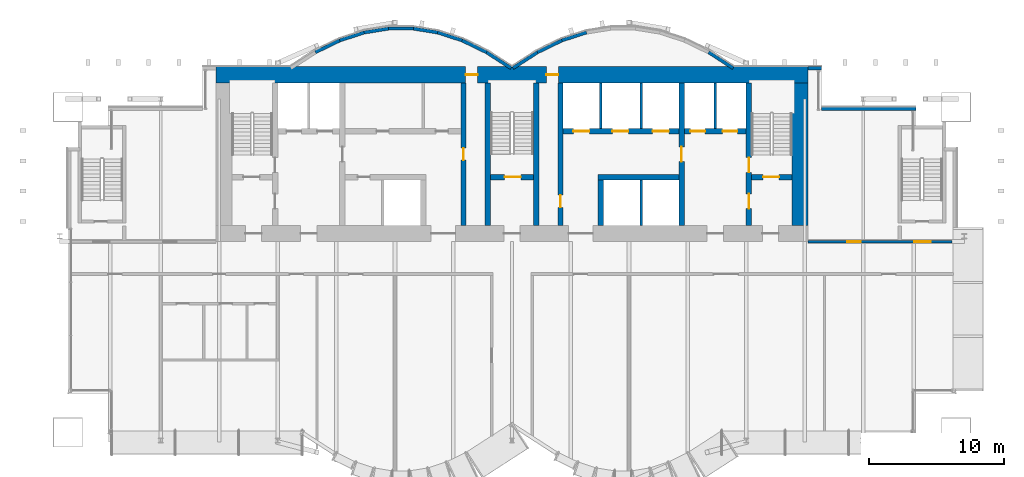
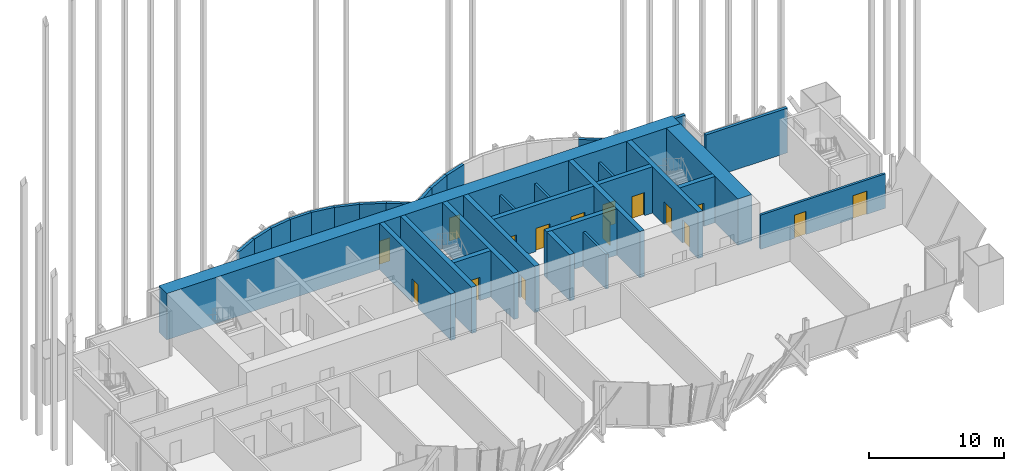
# One storey, part 25 of 28: 32 walls, 16 doors, 16 openings.
"""IFC4 building model written with IfcOpenShell, lengths in metres."""

from ifc_helpers import new_model, si_unit, direction, frame, frame_2d, origin, place, context, subcontext, project, spatial, rectangle, extrude, material, layer, layer_set, layer_usage, type_object, element, fill, save


model = new_model("IFC4")

# Units and contexts
model_context = context("Model", 3, precision=1e-05, world=origin(), true_north=direction((0.0, 1.0)))
body_context = subcontext(model_context, "Body", "Model", "MODEL_VIEW")
ifc_project = project(units=[si_unit("LENGTHUNIT", "METRE"), si_unit("AREAUNIT", "SQUARE_METRE"), si_unit("VOLUMEUNIT", "CUBIC_METRE"), si_unit("PLANEANGLEUNIT", "RADIAN"), si_unit("MASSUNIT", "GRAM", prefix="KILO")], contexts=[model_context])

# Site, building, storey
site_placement = place(None, origin())
site = spatial("IfcSite", under=ifc_project, at=site_placement, CompositionType="ELEMENT")
building_placement = place(site_placement, origin())
building = spatial("IfcBuilding", under=site, at=building_placement, Name="Bicima Exchange Tower", CompositionType="ELEMENT")
storey_placement = place(building_placement, frame((0.0, 0.0, 241.39990234375)))
storey = spatial("IfcBuildingStorey", under=building, at=storey_placement, Name="L54", CompositionType="ELEMENT", Elevation=241.39990234375)

# Walls
ifc_material_1 = material(Name="Gypsum board partition")
ifc_layer_1 = layer(ifc_material_1, 0.199951171875)
ifc_layer_set_1 = layer_set([ifc_layer_1], Name="Gypsum board partition")
wall_type_1 = type_object("IfcWallType", Name="Fire-rated gypsum partition 200 EI120", PredefinedType="PARTITIONING", material=ifc_layer_set_1)
for number, where, z_axis, x_axis, name in (
    (1, (6.60009765625, -4.60009765625, 0.0), (0.0, 0.0, 1.0), (0.0, 1.0, 0.0), "partition wall 19"),
    (2, (9.60009765625, -11.800048828125, 0.0), (0.0, 0.0, 1.0), (0.0, 1.0, 0.0), "partition wall 20"),
    (3, (9.60009765625, -4.60009765625, 0.0), (0.0, 0.0, 1.0), (0.0, 1.0, 0.0), "partition wall 21"),
    (4, (15.10009765625, -4.60009765625, 0.0), (0.0, 0.0, 1.0), (0.0, 1.0, 0.0), "partition wall 23"),
):
    element("IfcWall", number, at=place(storey_placement, frame(where, z_axis=z_axis, x_axis=x_axis)), inside=storey, type_object=wall_type_1, Name=name, PredefinedType="PARTITIONING", context=body_context, shape_type="SweptSolid", body=[
        extrude(rectangle(XDim=3.400146484375, YDim=0.199951171875, at=frame_2d((1.7001953125, 0.0))), origin(), (0.0, 0.0, 1.0), 3.1181640625),
    ])

# Wall, openings, doors
ifc_layer_2 = layer(ifc_material_1, 0.199951171875)
ifc_layer_set_2 = layer_set([ifc_layer_2], Name="Gypsum board partition")
wall_type_2 = type_object("IfcWallType", Name="Fire-rated gypsum partition 200 EI60", PredefinedType="PARTITIONING", material=ifc_layer_set_2)
wall_1_placement = place(storey_placement, frame((22.0, -13.0, 0.0), z_axis=(0.0, 0.0, 1.0), x_axis=(1.0, 0.0, 0.0)))
wall_1 = element("IfcWall", 5, at=wall_1_placement, inside=storey, type_object=wall_type_2, Name="partition wall 6", PredefinedType="PARTITIONING", context=body_context, shape_type="SweptSolid", body=[
    extrude(rectangle(XDim=10.699951171875, YDim=0.199951171875, at=frame_2d((5.35009765625, 0.0))), origin(), (0.0, 0.0, 1.0), 3.1181640625),
])
opening_1_placement = place(wall_1_placement, frame((7.89990234375, 0.0, 0.0)))
opening_1 = element("IfcOpeningElement", 6, at=opening_1_placement, cuts=wall_1, Name="Opening L54-003", PredefinedType="OPENING", context=body_context, shape_type="SweptSolid", body=[
    extrude(rectangle(XDim=1.199951171875, YDim=2.10009765625, at=frame_2d((0.60009765625, 1.050048828125))), frame((0.0, 0.11181640625, 0.0), z_axis=(0.0, -1.0, 0.0), x_axis=(1.0, 0.0, 0.0)), (0.0, 0.0, 1.0), 0.223876953125),
])
opening_2_placement = place(wall_1_placement, frame((2.89990234375, 0.0, 0.0)))
opening_2 = element("IfcOpeningElement", 7, at=opening_2_placement, cuts=wall_1, Name="Opening L54-006", PredefinedType="OPENING", context=body_context, shape_type="SweptSolid", body=[
    extrude(rectangle(XDim=1.0, YDim=2.10009765625, at=frame_2d((0.5, 1.050048828125))), frame((0.0, 0.11181640625, 0.0), z_axis=(0.0, -1.0, 0.0), x_axis=(1.0, 0.0, 0.0)), (0.0, 0.0, 1.0), 0.223876953125),
])
ifc_material_2 = material(Name="Steel fire door leaf", Category="steel")
door_type_1 = type_object("IfcDoorType", Name="Door 1000 swing FD30S", OperationType="SINGLE_SWING_LEFT", PredefinedType="DOOR", material=ifc_material_2)
door_1_placement = place(opening_2_placement, origin())
door_1 = element("IfcDoor", 8, at=door_1_placement, inside=storey, type_object=door_type_1, Name="Door", OperationType="SINGLE_SWING_RIGHT", OverallHeight=2.10009765625, OverallWidth=1.0, PredefinedType="DOOR", context=body_context, shape_type="SweptSolid", body=[
    extrude(rectangle(XDim=1.0, YDim=2.10009765625, at=frame_2d((0.5, 1.050048828125))), frame((0.0, 0.02490234375, 0.0), z_axis=(0.0, -1.0, 0.0), x_axis=(1.0, 0.0, 0.0)), (0.0, 0.0, 1.0), 0.050048828125),
])
fill(opening_2, door_1)
door_type_2 = type_object("IfcDoorType", Name="Door 1200 swing FD30S", OperationType="SINGLE_SWING_LEFT", PredefinedType="DOOR", material=ifc_material_2)
door_2_placement = place(opening_1_placement, origin())
door_2 = element("IfcDoor", 9, at=door_2_placement, inside=storey, type_object=door_type_2, Name="Door", OperationType="SINGLE_SWING_RIGHT", OverallHeight=2.10009765625, OverallWidth=1.199951171875, PredefinedType="DOOR", context=body_context, shape_type="SweptSolid", body=[
    extrude(rectangle(XDim=1.199951171875, YDim=2.10009765625, at=frame_2d((0.60009765625, 1.050048828125))), frame((0.0, 0.02490234375, 0.0), z_axis=(0.0, -1.0, 0.0), x_axis=(1.0, 0.0, 0.0)), (0.0, 0.0, 1.0), 0.050048828125),
])
fill(opening_1, door_2)

ifc_material_3 = material(Name="Concrete C40/50", Category="concrete")
ifc_layer_3 = layer(ifc_material_3, 1.199951171875)
ifc_layer_set_3 = layer_set([ifc_layer_3], Name="Concrete C40/50")
wall_type_3 = type_object("IfcWallType", Name="RC core wall 1200 C40/50", PredefinedType="SHEAR", material=ifc_layer_set_3)
wall_2_placement = place(storey_placement, frame((-22.0, -0.60009765625, 0.0), z_axis=(0.0, 0.0, 1.0), x_axis=(1.0, 0.0, 0.0)))
wall_2 = element("IfcWall", 10, at=wall_2_placement, inside=storey, type_object=wall_type_3, Name="Core wall north", PredefinedType="SHEAR", context=body_context, shape_type="SweptSolid", body=[
    extrude(rectangle(XDim=44.0, YDim=1.199951171875, at=frame_2d((22.0, 0.0))), origin(), (0.0, 0.0, 1.0), 4.2001953125),
])
opening_3_placement = place(wall_2_placement, frame((18.550048828125, 0.0, 0.0)))
opening_3 = element("IfcOpeningElement", 11, at=opening_3_placement, cuts=wall_2, Name="Opening L54-C15", PredefinedType="OPENING", context=body_context, shape_type="SweptSolid", body=[
    extrude(rectangle(XDim=0.89990234375, YDim=2.10009765625, at=frame_2d((0.449951171875, 1.050048828125))), frame((0.0, 0.61181640625, 0.0), z_axis=(0.0, -1.0, 0.0), x_axis=(1.0, 0.0, 0.0)), (0.0, 0.0, 1.0), 1.223876953125),
])
opening_4_placement = place(wall_2_placement, frame((24.550048828125, 0.0, 0.0)))
opening_4 = element("IfcOpeningElement", 12, at=opening_4_placement, cuts=wall_2, Name="Opening L54-C16", PredefinedType="OPENING", context=body_context, shape_type="SweptSolid", body=[
    extrude(rectangle(XDim=0.89990234375, YDim=2.10009765625, at=frame_2d((0.449951171875, 1.050048828125))), frame((0.0, 0.61181640625, 0.0), z_axis=(0.0, -1.0, 0.0), x_axis=(1.0, 0.0, 0.0)), (0.0, 0.0, 1.0), 1.223876953125),
])
door_type_3 = type_object("IfcDoorType", Name="Door 900 swing FD30S", OperationType="SINGLE_SWING_LEFT", PredefinedType="DOOR", material=ifc_material_2)
door_3_placement = place(opening_3_placement, origin())
door_3 = element("IfcDoor", 13, at=door_3_placement, inside=storey, type_object=door_type_3, Name="Core door", OperationType="SINGLE_SWING_LEFT", OverallHeight=2.10009765625, OverallWidth=0.89990234375, PredefinedType="DOOR", context=body_context, shape_type="SweptSolid", body=[
    extrude(rectangle(XDim=0.89990234375, YDim=2.10009765625, at=frame_2d((0.449951171875, 1.050048828125))), frame((0.0, 0.02490234375, 0.0), z_axis=(0.0, -1.0, 0.0), x_axis=(1.0, 0.0, 0.0)), (0.0, 0.0, 1.0), 0.050048828125),
])
fill(opening_3, door_3)
door_4_placement = place(opening_4_placement, origin())
door_4 = element("IfcDoor", 14, at=door_4_placement, inside=storey, type_object=door_type_3, Name="Core door", OperationType="SINGLE_SWING_LEFT", OverallHeight=2.10009765625, OverallWidth=0.89990234375, PredefinedType="DOOR", context=body_context, shape_type="SweptSolid", body=[
    extrude(rectangle(XDim=0.89990234375, YDim=2.10009765625, at=frame_2d((0.449951171875, 1.050048828125))), frame((0.0, 0.02490234375, 0.0), z_axis=(0.0, -1.0, 0.0), x_axis=(1.0, 0.0, 0.0)), (0.0, 0.0, 1.0), 0.050048828125),
])
fill(opening_4, door_4)

# Walls
wall_3_placement = place(storey_placement, frame((21.39990234375, -11.800048828125, 0.0), z_axis=(0.0, 0.0, 1.0), x_axis=(0.0, 1.0, 0.0)))
element("IfcWall", 15, at=wall_3_placement, inside=storey, type_object=wall_type_3, Name="Core wall east", PredefinedType="SHEAR", context=body_context, shape_type="SweptSolid", body=[
    extrude(rectangle(XDim=10.60009765625, YDim=1.199951171875, at=frame_2d((5.300048828125, 0.0))), origin(), (0.0, 0.0, 1.0), 4.2001953125),
])
ifc_layer_4 = layer(ifc_material_3, 0.39990234375)
ifc_layer_set_4 = layer_set([ifc_layer_4], Name="Concrete C40/50")
wall_type_4 = type_object("IfcWallType", Name="RC core wall 400 C40/50", PredefinedType="SHEAR", material=ifc_layer_set_4)
wall_4_placement = place(storey_placement, frame((6.39990234375, -8.199951171875, 0.0), z_axis=(0.0, 0.0, 1.0), x_axis=(1.0, 0.0, 0.0)))
element("IfcWall", 16, at=wall_4_placement, inside=storey, type_object=wall_type_4, Name="shear wall 4", PredefinedType="SHEAR", context=body_context, shape_type="SweptSolid", body=[
    extrude(rectangle(XDim=6.0, YDim=0.39990234375, at=frame_2d((3.0, 0.0))), origin(), (0.0, 0.0, 1.0), 4.2001953125),
])

# Wall, openings, doors
wall_5_placement = place(storey_placement, frame((3.800048828125, -4.800048828125, 0.0), z_axis=(0.0, 0.0, 1.0), x_axis=(1.0, 0.0, 0.0)))
wall_5 = element("IfcWall", 17, at=wall_5_placement, inside=storey, type_object=wall_type_4, Name="shear wall 7", PredefinedType="SHEAR", context=body_context, shape_type="SweptSolid", body=[
    extrude(rectangle(XDim=13.599853515625, YDim=0.39990234375, at=frame_2d((6.7998046875, 0.0))), origin(), (0.0, 0.0, 1.0), 4.2001953125),
])
opening_5_placement = place(wall_5_placement, frame((0.75, 0.0, 0.0)))
opening_5 = element("IfcOpeningElement", 18, at=opening_5_placement, cuts=wall_5, Name="Opening LD-HB1-L54", PredefinedType="OPENING", context=body_context, shape_type="SweptSolid", body=[
    extrude(rectangle(XDim=1.199951171875, YDim=2.10009765625, at=frame_2d((0.60009765625, 1.050048828125))), frame((0.0, 0.2119140625, 0.0), z_axis=(0.0, -1.0, 0.0), x_axis=(1.0, 0.0, 0.0)), (0.0, 0.0, 1.0), 0.423828125),
])
opening_6_placement = place(wall_5_placement, frame((3.64990234375, 0.0, 0.0)))
opening_6 = element("IfcOpeningElement", 19, at=opening_6_placement, cuts=wall_5, Name="Opening LD-HB2-L54", PredefinedType="OPENING", context=body_context, shape_type="SweptSolid", body=[
    extrude(rectangle(XDim=1.199951171875, YDim=2.10009765625, at=frame_2d((0.60009765625, 1.050048828125))), frame((0.0, 0.2119140625, 0.0), z_axis=(0.0, -1.0, 0.0), x_axis=(1.0, 0.0, 0.0)), (0.0, 0.0, 1.0), 0.423828125),
])
opening_7_placement = place(wall_5_placement, frame((6.64990234375, 0.0, 0.0)))
opening_7 = element("IfcOpeningElement", 20, at=opening_7_placement, cuts=wall_5, Name="Opening LD-HB3-L54", PredefinedType="OPENING", context=body_context, shape_type="SweptSolid", body=[
    extrude(rectangle(XDim=1.199951171875, YDim=2.10009765625, at=frame_2d((0.60009765625, 1.050048828125))), frame((0.0, 0.2119140625, 0.0), z_axis=(0.0, -1.0, 0.0), x_axis=(1.0, 0.0, 0.0)), (0.0, 0.0, 1.0), 0.423828125),
])
opening_8_placement = place(wall_5_placement, frame((9.449951171875, 0.0, 0.0)))
opening_8 = element("IfcOpeningElement", 21, at=opening_8_placement, cuts=wall_5, Name="Opening LD-FF2-L54", PredefinedType="OPENING", context=body_context, shape_type="SweptSolid", body=[
    extrude(rectangle(XDim=1.10009765625, YDim=2.10009765625, at=frame_2d((0.550048828125, 1.050048828125))), frame((0.0, 0.2119140625, 0.0), z_axis=(0.0, -1.0, 0.0), x_axis=(1.0, 0.0, 0.0)), (0.0, 0.0, 1.0), 0.423828125),
])
opening_9_placement = place(wall_5_placement, frame((11.85009765625, 0.0, 0.0)))
opening_9 = element("IfcOpeningElement", 22, at=opening_9_placement, cuts=wall_5, Name="Opening LD-SV1-L54", PredefinedType="OPENING", context=body_context, shape_type="SweptSolid", body=[
    extrude(rectangle(XDim=1.10009765625, YDim=2.10009765625, at=frame_2d((0.550048828125, 1.050048828125))), frame((0.0, 0.2119140625, 0.0), z_axis=(0.0, -1.0, 0.0), x_axis=(1.0, 0.0, 0.0)), (0.0, 0.0, 1.0), 0.423828125),
])
ifc_material_4 = material(Name="Stainless steel", Category="steel")
door_type_4 = type_object("IfcDoorType", Name="Lift landing door 1100 sliding", OperationType="DOUBLE_DOOR_SLIDING", PredefinedType="DOOR", material=ifc_material_4)
door_5_placement = place(opening_8_placement, origin())
door_5 = element("IfcDoor", 23, at=door_5_placement, inside=storey, type_object=door_type_4, Name="Lift landing door FF2", OperationType="DOUBLE_DOOR_SLIDING", OverallHeight=2.10009765625, OverallWidth=1.10009765625, PredefinedType="DOOR", context=body_context, shape_type="SweptSolid", body=[
    extrude(rectangle(XDim=1.10009765625, YDim=2.10009765625, at=frame_2d((0.550048828125, 1.050048828125))), frame((0.0, 0.02490234375, 0.0), z_axis=(0.0, -1.0, 0.0), x_axis=(1.0, 0.0, 0.0)), (0.0, 0.0, 1.0), 0.050048828125),
])
fill(opening_8, door_5)
door_6_placement = place(opening_9_placement, origin())
door_6 = element("IfcDoor", 24, at=door_6_placement, inside=storey, type_object=door_type_4, Name="Lift landing door SV1", OperationType="DOUBLE_DOOR_SLIDING", OverallHeight=2.10009765625, OverallWidth=1.10009765625, PredefinedType="DOOR", context=body_context, shape_type="SweptSolid", body=[
    extrude(rectangle(XDim=1.10009765625, YDim=2.10009765625, at=frame_2d((0.550048828125, 1.050048828125))), frame((0.0, 0.02490234375, 0.0), z_axis=(0.0, -1.0, 0.0), x_axis=(1.0, 0.0, 0.0)), (0.0, 0.0, 1.0), 0.050048828125),
])
fill(opening_9, door_6)
door_type_5 = type_object("IfcDoorType", Name="Lift landing door 1200 sliding", OperationType="DOUBLE_DOOR_SLIDING", PredefinedType="DOOR", material=ifc_material_4)
door_7_placement = place(opening_5_placement, origin())
door_7 = element("IfcDoor", 25, at=door_7_placement, inside=storey, type_object=door_type_5, Name="Lift landing door HB1", OperationType="DOUBLE_DOOR_SLIDING", OverallHeight=2.10009765625, OverallWidth=1.199951171875, PredefinedType="DOOR", context=body_context, shape_type="SweptSolid", body=[
    extrude(rectangle(XDim=1.199951171875, YDim=2.10009765625, at=frame_2d((0.60009765625, 1.050048828125))), frame((0.0, 0.02490234375, 0.0), z_axis=(0.0, -1.0, 0.0), x_axis=(1.0, 0.0, 0.0)), (0.0, 0.0, 1.0), 0.050048828125),
])
fill(opening_5, door_7)
door_8_placement = place(opening_6_placement, origin())
door_8 = element("IfcDoor", 26, at=door_8_placement, inside=storey, type_object=door_type_5, Name="Lift landing door HB2", OperationType="DOUBLE_DOOR_SLIDING", OverallHeight=2.10009765625, OverallWidth=1.199951171875, PredefinedType="DOOR", context=body_context, shape_type="SweptSolid", body=[
    extrude(rectangle(XDim=1.199951171875, YDim=2.10009765625, at=frame_2d((0.60009765625, 1.050048828125))), frame((0.0, 0.02490234375, 0.0), z_axis=(0.0, -1.0, 0.0), x_axis=(1.0, 0.0, 0.0)), (0.0, 0.0, 1.0), 0.050048828125),
])
fill(opening_6, door_8)
door_9_placement = place(opening_7_placement, origin())
door_9 = element("IfcDoor", 27, at=door_9_placement, inside=storey, type_object=door_type_5, Name="Lift landing door HB3", OperationType="DOUBLE_DOOR_SLIDING", OverallHeight=2.10009765625, OverallWidth=1.199951171875, PredefinedType="DOOR", context=body_context, shape_type="SweptSolid", body=[
    extrude(rectangle(XDim=1.199951171875, YDim=2.10009765625, at=frame_2d((0.60009765625, 1.050048828125))), frame((0.0, 0.02490234375, 0.0), z_axis=(0.0, -1.0, 0.0), x_axis=(1.0, 0.0, 0.0)), (0.0, 0.0, 1.0), 0.050048828125),
])
fill(opening_7, door_9)

# Wall, opening, door
wall_6_placement = place(storey_placement, frame((-3.60009765625, -11.800048828125, 0.0), z_axis=(0.0, 0.0, 1.0), x_axis=(0.0, 1.0, 0.0)))
wall_6 = element("IfcWall", 28, at=wall_6_placement, inside=storey, type_object=wall_type_4, Name="shear wall 14", PredefinedType="SHEAR", context=body_context, shape_type="SweptSolid", body=[
    extrude(rectangle(XDim=10.60009765625, YDim=0.39990234375, at=frame_2d((5.300048828125, 0.0))), origin(), (0.0, 0.0, 1.0), 4.2001953125),
])
opening_10_placement = place(wall_6_placement, frame((4.85009765625, 0.0, 0.0)))
opening_10 = element("IfcOpeningElement", 29, at=opening_10_placement, cuts=wall_6, Name="Opening L54-C10", PredefinedType="OPENING", context=body_context, shape_type="SweptSolid", body=[
    extrude(rectangle(XDim=0.89990234375, YDim=2.10009765625, at=frame_2d((0.449951171875, 1.050048828125))), frame((0.0, 0.2119140625, 0.0), z_axis=(0.0, -1.0, 0.0), x_axis=(1.0, 0.0, 0.0)), (0.0, 0.0, 1.0), 0.423828125),
])
door_10_placement = place(opening_10_placement, frame((0.89990234375, 0.0, 0.0), z_axis=(0.0, 0.0, 1.0), x_axis=(-1.0, 0.0, 0.0)))
door_10 = element("IfcDoor", 30, at=door_10_placement, inside=storey, type_object=door_type_3, Name="Core door", OperationType="SINGLE_SWING_LEFT", OverallHeight=2.10009765625, OverallWidth=0.89990234375, PredefinedType="DOOR", context=body_context, shape_type="SweptSolid", body=[
    extrude(rectangle(XDim=0.89990234375, YDim=2.10009765625, at=frame_2d((0.449951171875, 1.050048828125))), frame((0.0, 0.02490234375, 0.0), z_axis=(0.0, -1.0, 0.0), x_axis=(1.0, 0.0, 0.0)), (0.0, 0.0, 1.0), 0.050048828125),
])
fill(opening_10, door_10)

wall_7_placement = place(storey_placement, frame((3.60009765625, -11.800048828125, 0.0), z_axis=(0.0, 0.0, 1.0), x_axis=(0.0, 1.0, 0.0)))
wall_7 = element("IfcWall", 31, at=wall_7_placement, inside=storey, type_object=wall_type_4, Name="shear wall 17", PredefinedType="SHEAR", context=body_context, shape_type="SweptSolid", body=[
    extrude(rectangle(XDim=10.60009765625, YDim=0.39990234375, at=frame_2d((5.300048828125, 0.0))), origin(), (0.0, 0.0, 1.0), 4.2001953125),
])
opening_11_placement = place(wall_7_placement, frame((1.35009765625, 0.0, 0.0)))
opening_11 = element("IfcOpeningElement", 32, at=opening_11_placement, cuts=wall_7, Name="Opening L54-C11", PredefinedType="OPENING", context=body_context, shape_type="SweptSolid", body=[
    extrude(rectangle(XDim=0.89990234375, YDim=2.10009765625, at=frame_2d((0.449951171875, 1.050048828125))), frame((0.0, 0.2119140625, 0.0), z_axis=(0.0, -1.0, 0.0), x_axis=(1.0, 0.0, 0.0)), (0.0, 0.0, 1.0), 0.423828125),
])
door_11_placement = place(opening_11_placement, origin())
door_11 = element("IfcDoor", 33, at=door_11_placement, inside=storey, type_object=door_type_3, Name="Core door", OperationType="SINGLE_SWING_LEFT", OverallHeight=2.10009765625, OverallWidth=0.89990234375, PredefinedType="DOOR", context=body_context, shape_type="SweptSolid", body=[
    extrude(rectangle(XDim=0.89990234375, YDim=2.10009765625, at=frame_2d((0.449951171875, 1.050048828125))), frame((0.0, 0.02490234375, 0.0), z_axis=(0.0, -1.0, 0.0), x_axis=(1.0, 0.0, 0.0)), (0.0, 0.0, 1.0), 0.050048828125),
])
fill(opening_11, door_11)

# Wall
wall_8_placement = place(storey_placement, frame((6.60009765625, -11.800048828125, 0.0), z_axis=(0.0, 0.0, 1.0), x_axis=(0.0, 1.0, 0.0)))
element("IfcWall", 34, at=wall_8_placement, inside=storey, type_object=wall_type_4, Name="shear wall 18", PredefinedType="SHEAR", context=body_context, shape_type="SweptSolid", body=[
    extrude(rectangle(XDim=3.400146484375, YDim=0.39990234375, at=frame_2d((1.7001953125, 0.0))), origin(), (0.0, 0.0, 1.0), 4.2001953125),
])

# Wall, opening, door
wall_9_placement = place(storey_placement, frame((12.60009765625, -11.800048828125, 0.0), z_axis=(0.0, 0.0, 1.0), x_axis=(0.0, 1.0, 0.0)))
wall_9 = element("IfcWall", 35, at=wall_9_placement, inside=storey, type_object=wall_type_4, Name="shear wall 22", PredefinedType="SHEAR", context=body_context, shape_type="SweptSolid", body=[
    extrude(rectangle(XDim=10.60009765625, YDim=0.39990234375, at=frame_2d((5.300048828125, 0.0))), origin(), (0.0, 0.0, 1.0), 4.2001953125),
])
opening_12_placement = place(wall_9_placement, frame((4.75, 0.0, 0.0)))
opening_12 = element("IfcOpeningElement", 36, at=opening_12_placement, cuts=wall_9, Name="Opening L54-C09", PredefinedType="OPENING", context=body_context, shape_type="SweptSolid", body=[
    extrude(rectangle(XDim=1.10009765625, YDim=2.10009765625, at=frame_2d((0.550048828125, 1.050048828125))), frame((0.0, 0.2119140625, 0.0), z_axis=(0.0, -1.0, 0.0), x_axis=(1.0, 0.0, 0.0)), (0.0, 0.0, 1.0), 0.423828125),
])
door_type_6 = type_object("IfcDoorType", Name="Door 1100 swing FD60S", OperationType="SINGLE_SWING_LEFT", PredefinedType="DOOR", material=ifc_material_2)
door_12_placement = place(opening_12_placement, frame((1.10009765625, 0.0, 0.0), z_axis=(0.0, 0.0, 1.0), x_axis=(-1.0, 0.0, 0.0)))
door_12 = element("IfcDoor", 37, at=door_12_placement, inside=storey, type_object=door_type_6, Name="Core door", OperationType="SINGLE_SWING_RIGHT", OverallHeight=2.10009765625, OverallWidth=1.10009765625, PredefinedType="DOOR", context=body_context, shape_type="SweptSolid", body=[
    extrude(rectangle(XDim=1.10009765625, YDim=2.10009765625, at=frame_2d((0.550048828125, 1.050048828125))), frame((0.0, 0.02490234375, 0.0), z_axis=(0.0, -1.0, 0.0), x_axis=(1.0, 0.0, 0.0)), (0.0, 0.0, 1.0), 0.050048828125),
])
fill(opening_12, door_12)

ifc_material_5 = material(Name="Concrete C50/60", Category="concrete")
ifc_layer_5 = layer(ifc_material_5, 0.39990234375)
ifc_layer_set_5 = layer_set([ifc_layer_5], Name="Concrete C50/60")
wall_type_5 = type_object("IfcWallType", Name="RC core wall 400 C50/60", PredefinedType="SHEAR", material=ifc_layer_set_5)
wall_10_placement = place(storey_placement, frame((-1.60009765625, -8.199951171875, 0.0), z_axis=(0.0, 0.0, 1.0), x_axis=(1.0, 0.0, 0.0)))
wall_10 = element("IfcWall", 38, at=wall_10_placement, inside=storey, type_object=wall_type_5, Name="stair wall 3", PredefinedType="SHEAR", context=body_context, shape_type="SweptSolid", body=[
    extrude(rectangle(XDim=3.2001953125, YDim=0.39990234375, at=frame_2d((1.60009765625, 0.0))), origin(), (0.0, 0.0, 1.0), 4.2001953125),
])
opening_13_placement = place(wall_10_placement, frame((1.050048828125, 0.0, 0.0)))
opening_13 = element("IfcOpeningElement", 39, at=opening_13_placement, cuts=wall_10, Name="Opening L54-C03", PredefinedType="OPENING", context=body_context, shape_type="SweptSolid", body=[
    extrude(rectangle(XDim=1.199951171875, YDim=2.10009765625, at=frame_2d((0.60009765625, 1.050048828125))), frame((0.0, 0.2119140625, 0.0), z_axis=(0.0, -1.0, 0.0), x_axis=(1.0, 0.0, 0.0)), (0.0, 0.0, 1.0), 0.423828125),
])
door_type_7 = type_object("IfcDoorType", Name="Door 1200 swing FD60S", OperationType="SINGLE_SWING_LEFT", PredefinedType="DOOR", material=ifc_material_2)
door_13_placement = place(opening_13_placement, origin())
door_13 = element("IfcDoor", 40, at=door_13_placement, inside=storey, type_object=door_type_7, Name="Core door", OperationType="SINGLE_SWING_LEFT", OverallHeight=2.10009765625, OverallWidth=1.199951171875, PredefinedType="DOOR", context=body_context, shape_type="SweptSolid", body=[
    extrude(rectangle(XDim=1.199951171875, YDim=2.10009765625, at=frame_2d((0.60009765625, 1.050048828125))), frame((0.0, 0.02490234375, 0.0), z_axis=(0.0, -1.0, 0.0), x_axis=(1.0, 0.0, 0.0)), (0.0, 0.0, 1.0), 0.050048828125),
])
fill(opening_13, door_13)

wall_11_placement = place(storey_placement, frame((17.800048828125, -8.199951171875, 0.0), z_axis=(0.0, 0.0, 1.0), x_axis=(1.0, 0.0, 0.0)))
wall_11 = element("IfcWall", 41, at=wall_11_placement, inside=storey, type_object=wall_type_5, Name="stair wall 5", PredefinedType="SHEAR", context=body_context, shape_type="SweptSolid", body=[
    extrude(rectangle(XDim=3.0, YDim=0.39990234375, at=frame_2d((1.5, 0.0))), origin(), (0.0, 0.0, 1.0), 4.2001953125),
])
opening_14_placement = place(wall_11_placement, frame((0.85009765625, 0.0, 0.0)))
opening_14 = element("IfcOpeningElement", 42, at=opening_14_placement, cuts=wall_11, Name="Opening L54-C04", PredefinedType="OPENING", context=body_context, shape_type="SweptSolid", body=[
    extrude(rectangle(XDim=1.199951171875, YDim=2.10009765625, at=frame_2d((0.60009765625, 1.050048828125))), frame((0.0, 0.2119140625, 0.0), z_axis=(0.0, -1.0, 0.0), x_axis=(1.0, 0.0, 0.0)), (0.0, 0.0, 1.0), 0.423828125),
])
door_14_placement = place(opening_14_placement, origin())
door_14 = element("IfcDoor", 43, at=door_14_placement, inside=storey, type_object=door_type_7, Name="Core door", OperationType="SINGLE_SWING_RIGHT", OverallHeight=2.10009765625, OverallWidth=1.199951171875, PredefinedType="DOOR", context=body_context, shape_type="SweptSolid", body=[
    extrude(rectangle(XDim=1.199951171875, YDim=2.10009765625, at=frame_2d((0.60009765625, 1.050048828125))), frame((0.0, 0.02490234375, 0.0), z_axis=(0.0, -1.0, 0.0), x_axis=(1.0, 0.0, 0.0)), (0.0, 0.0, 1.0), 0.050048828125),
])
fill(opening_14, door_14)

# Walls
for number, where, z_axis, x_axis, name in (
    (44, (-1.800048828125, -11.800048828125, 0.0), (0.0, 0.0, 1.0), (0.0, 1.0, 0.0), "stair wall 15"),
    (45, (1.800048828125, -11.800048828125, 0.0), (0.0, 0.0, 1.0), (0.0, 1.0, 0.0), "stair wall 16"),
):
    element("IfcWall", number, at=place(storey_placement, frame(where, z_axis=z_axis, x_axis=x_axis)), inside=storey, type_object=wall_type_5, Name=name, PredefinedType="SHEAR", context=body_context, shape_type="SweptSolid", body=[
        extrude(rectangle(XDim=10.60009765625, YDim=0.39990234375, at=frame_2d((5.300048828125, 0.0))), origin(), (0.0, 0.0, 1.0), 4.2001953125),
    ])

# Wall, openings, doors
wall_12_placement = place(storey_placement, frame((17.60009765625, -11.800048828125, 0.0), z_axis=(0.0, 0.0, 1.0), x_axis=(0.0, 1.0, 0.0)))
wall_12 = element("IfcWall", 46, at=wall_12_placement, inside=storey, type_object=wall_type_5, Name="stair wall 24", PredefinedType="SHEAR", context=body_context, shape_type="SweptSolid", body=[
    extrude(rectangle(XDim=10.60009765625, YDim=0.39990234375, at=frame_2d((5.300048828125, 0.0))), origin(), (0.0, 0.0, 1.0), 4.2001953125),
])
opening_15_placement = place(wall_12_placement, frame((1.25, 0.0, 0.0)))
opening_15 = element("IfcOpeningElement", 47, at=opening_15_placement, cuts=wall_12, Name="Opening L54-C05", PredefinedType="OPENING", context=body_context, shape_type="SweptSolid", body=[
    extrude(rectangle(XDim=1.10009765625, YDim=2.10009765625, at=frame_2d((0.550048828125, 1.050048828125))), frame((0.0, 0.2119140625, 0.0), z_axis=(0.0, -1.0, 0.0), x_axis=(1.0, 0.0, 0.0)), (0.0, 0.0, 1.0), 0.423828125),
])
opening_16_placement = place(wall_12_placement, frame((3.949951171875, 0.0, 0.0)))
opening_16 = element("IfcOpeningElement", 48, at=opening_16_placement, cuts=wall_12, Name="Opening L54-C08", PredefinedType="OPENING", context=body_context, shape_type="SweptSolid", body=[
    extrude(rectangle(XDim=1.10009765625, YDim=2.10009765625, at=frame_2d((0.550048828125, 1.050048828125))), frame((0.0, 0.2119140625, 0.0), z_axis=(0.0, -1.0, 0.0), x_axis=(1.0, 0.0, 0.0)), (0.0, 0.0, 1.0), 0.423828125),
])
door_15_placement = place(opening_15_placement, origin())
door_15 = element("IfcDoor", 49, at=door_15_placement, inside=storey, type_object=door_type_6, Name="Core door", OperationType="SINGLE_SWING_LEFT", OverallHeight=2.10009765625, OverallWidth=1.10009765625, PredefinedType="DOOR", context=body_context, shape_type="SweptSolid", body=[
    extrude(rectangle(XDim=1.10009765625, YDim=2.10009765625, at=frame_2d((0.550048828125, 1.050048828125))), frame((0.0, 0.02490234375, 0.0), z_axis=(0.0, -1.0, 0.0), x_axis=(1.0, 0.0, 0.0)), (0.0, 0.0, 1.0), 0.050048828125),
])
fill(opening_15, door_15)
door_16_placement = place(opening_16_placement, origin())
door_16 = element("IfcDoor", 50, at=door_16_placement, inside=storey, type_object=door_type_6, Name="Core door", OperationType="SINGLE_SWING_RIGHT", OverallHeight=2.10009765625, OverallWidth=1.10009765625, PredefinedType="DOOR", context=body_context, shape_type="SweptSolid", body=[
    extrude(rectangle(XDim=1.10009765625, YDim=2.10009765625, at=frame_2d((0.550048828125, 1.050048828125))), frame((0.0, 0.02490234375, 0.0), z_axis=(0.0, -1.0, 0.0), x_axis=(1.0, 0.0, 0.0)), (0.0, 0.0, 1.0), 0.050048828125),
])
fill(opening_16, door_16)

# Walls
ifc_layer_6 = layer(ifc_material_3, 0.25)
ifc_layer_set_6 = layer_set([ifc_layer_6], Name="Concrete C40/50")
ifc_layer_usage = layer_usage(ifc_layer_set_6, "AXIS2", "POSITIVE", -0.125)
wall_type_6 = type_object("IfcWallType", Name="Rear backup wall 250", PredefinedType="STANDARD", material=ifc_layer_set_6)
wall_13_placement = place(storey_placement, frame((30.0, -3.125, 0.0), z_axis=(0.0, 0.0, 1.0), x_axis=(-1.0, 0.0, 0.0)))
element("IfcWall", 51, at=wall_13_placement, inside=storey, type_object=wall_type_6, material=ifc_layer_usage, Name="Rear backup wall L54 5", PredefinedType="STANDARD", context=body_context, shape_type="SweptSolid", body=[
    extrude(rectangle(XDim=7.0, YDim=0.25, at=frame_2d((3.5, 0.0))), origin(), (0.0, 0.0, 1.0), 4.050048828125),
])
wall_14_placement = place(storey_placement, frame((23.0, -0.125, 0.0), z_axis=(0.0, 0.0, 1.0), x_axis=(-1.0, 0.0, 0.0)))
element("IfcWall", 52, at=wall_14_placement, inside=storey, type_object=wall_type_6, material=ifc_layer_usage, Name="Rear backup wall L54 7", PredefinedType="STANDARD", context=body_context, shape_type="SweptSolid", body=[
    extrude(rectangle(XDim=1.0, YDim=0.25, at=frame_2d((0.5, 0.0))), origin(), (0.0, 0.0, 1.0), 4.050048828125),
])
wall_15_placement = place(storey_placement, frame((16.43212890625, -0.10498046875, 0.0), z_axis=(0.0, 0.0, 1.0), x_axis=(-0.83981312244, 0.542875602121, 0.0)))
element("IfcWall", 53, at=wall_15_placement, inside=storey, type_object=wall_type_6, material=ifc_layer_usage, Name="Rear backup wall L54 8", PredefinedType="STANDARD", context=body_context, shape_type="SweptSolid", body=[
    extrude(rectangle(XDim=2.182861328125, YDim=0.25, at=frame_2d((1.09130859375, 0.0))), origin(), (0.0, 0.0, 1.0), 4.050048828125),
])
wall_16_placement = place(storey_placement, frame((5.538330078125, 2.5478515625, 0.0), z_axis=(0.0, 0.0, 1.0), x_axis=(-0.951495806175, -0.307661714928, 0.0)))
element("IfcWall", 54, at=wall_16_placement, inside=storey, type_object=wall_type_6, material=ifc_layer_usage, Name="Rear backup wall L54 14", PredefinedType="STANDARD", context=body_context, shape_type="SweptSolid", body=[
    extrude(rectangle(XDim=1.9267578125, YDim=0.25, at=frame_2d((0.96337890625, 0.0))), origin(), (0.0, 0.0, 1.0), 4.050048828125),
])
wall_17_placement = place(storey_placement, frame((3.72119140625, 1.961669921875, 0.0), z_axis=(0.0, 0.0, 1.0), x_axis=(-0.89982408427, -0.436252928206, 0.0)))
element("IfcWall", 55, at=wall_17_placement, inside=storey, type_object=wall_type_6, material=ifc_layer_usage, Name="Rear backup wall L54 15", PredefinedType="STANDARD", context=body_context, shape_type="SweptSolid", body=[
    extrude(rectangle(XDim=2.03759765625, YDim=0.25, at=frame_2d((1.018798828125, 0.0))), origin(), (0.0, 0.0, 1.0), 4.050048828125),
])
for number, where, z_axis, x_axis, name in (
    (56, (1.901123046875, 1.080078125, 0.0), (0.0, 0.0, 1.0), (-0.83981312244, -0.542875602121, 0.0), "Rear backup wall L54 16"),
    (57, (-0.06787109375, -0.10498046875, 0.0), (0.0, 0.0, 1.0), (-0.83981312244, 0.542875602121, 0.0), "Rear backup wall L54 17"),
):
    element("IfcWall", number, at=place(storey_placement, frame(where, z_axis=z_axis, x_axis=x_axis)), inside=storey, type_object=wall_type_6, material=ifc_layer_usage, Name=name, PredefinedType="STANDARD", context=body_context, shape_type="SweptSolid", body=[
        extrude(rectangle(XDim=2.182861328125, YDim=0.25, at=frame_2d((1.09130859375, 0.0))), origin(), (0.0, 0.0, 1.0), 4.050048828125),
    ])
wall_18_placement = place(storey_placement, frame((-1.8876953125, 1.07275390625, 0.0), z_axis=(0.0, 0.0, 1.0), x_axis=(-0.89982408427, 0.436252928206, 0.0)))
element("IfcWall", 58, at=wall_18_placement, inside=storey, type_object=wall_type_6, material=ifc_layer_usage, Name="Rear backup wall L54 18", PredefinedType="STANDARD", context=body_context, shape_type="SweptSolid", body=[
    extrude(rectangle(XDim=2.03759765625, YDim=0.25, at=frame_2d((1.018798828125, 0.0))), origin(), (0.0, 0.0, 1.0), 4.050048828125),
])
wall_19_placement = place(storey_placement, frame((-3.705078125, 1.955078125, 0.0), z_axis=(0.0, 0.0, 1.0), x_axis=(-0.951495806175, 0.307661714928, 0.0)))
element("IfcWall", 59, at=wall_19_placement, inside=storey, type_object=wall_type_6, material=ifc_layer_usage, Name="Rear backup wall L54 19", PredefinedType="STANDARD", context=body_context, shape_type="SweptSolid", body=[
    extrude(rectangle(XDim=1.9267578125, YDim=0.25, at=frame_2d((0.96337890625, 0.0))), origin(), (0.0, 0.0, 1.0), 4.050048828125),
])
wall_20_placement = place(storey_placement, frame((-5.52001953125, 2.543212890625, 0.0), z_axis=(0.0, 0.0, 1.0), x_axis=(-0.987181718931, 0.159600293885, 0.0)))
element("IfcWall", 60, at=wall_20_placement, inside=storey, type_object=wall_type_6, material=ifc_layer_usage, Name="Rear backup wall L54 20", PredefinedType="STANDARD", context=body_context, shape_type="SweptSolid", body=[
    extrude(rectangle(XDim=1.857177734375, YDim=0.25, at=frame_2d((0.9287109375, 0.0))), origin(), (0.0, 0.0, 1.0), 4.050048828125),
])
wall_21_placement = place(storey_placement, frame((-7.333251953125, 2.837890625, 0.0), z_axis=(0.0, 0.0, 1.0), x_axis=(-1.0, 0.0, 0.0)))
element("IfcWall", 61, at=wall_21_placement, inside=storey, type_object=wall_type_6, material=ifc_layer_usage, Name="Rear backup wall L54 21", PredefinedType="STANDARD", context=body_context, shape_type="SweptSolid", body=[
    extrude(rectangle(XDim=1.83349609375, YDim=0.25, at=frame_2d((0.916748046875, 0.0))), origin(), (0.0, 0.0, 1.0), 4.050048828125),
])
wall_22_placement = place(storey_placement, frame((-9.146728515625, 2.839599609375, 0.0), z_axis=(0.0, 0.0, 1.0), x_axis=(-0.987181718931, -0.159600293885, 0.0)))
element("IfcWall", 62, at=wall_22_placement, inside=storey, type_object=wall_type_6, material=ifc_layer_usage, Name="Rear backup wall L54 22", PredefinedType="STANDARD", context=body_context, shape_type="SweptSolid", body=[
    extrude(rectangle(XDim=1.857177734375, YDim=0.25, at=frame_2d((0.9287109375, 0.0))), origin(), (0.0, 0.0, 1.0), 4.050048828125),
])
wall_23_placement = place(storey_placement, frame((-10.961669921875, 2.5478515625, 0.0), z_axis=(0.0, 0.0, 1.0), x_axis=(-0.951495806175, -0.307661714928, 0.0)))
element("IfcWall", 63, at=wall_23_placement, inside=storey, type_object=wall_type_6, material=ifc_layer_usage, Name="Rear backup wall L54 23", PredefinedType="STANDARD", context=body_context, shape_type="SweptSolid", body=[
    extrude(rectangle(XDim=1.9267578125, YDim=0.25, at=frame_2d((0.96337890625, 0.0))), origin(), (0.0, 0.0, 1.0), 4.050048828125),
])
wall_24_placement = place(storey_placement, frame((-12.77880859375, 1.961669921875, 0.0), z_axis=(0.0, 0.0, 1.0), x_axis=(-0.89982408427, -0.436252928206, 0.0)))
element("IfcWall", 64, at=wall_24_placement, inside=storey, type_object=wall_type_6, material=ifc_layer_usage, Name="Rear backup wall L54 24", PredefinedType="STANDARD", context=body_context, shape_type="SweptSolid", body=[
    extrude(rectangle(XDim=2.03759765625, YDim=0.25, at=frame_2d((1.018798828125, 0.0))), origin(), (0.0, 0.0, 1.0), 4.050048828125),
])

save(model, "model.ifc")
